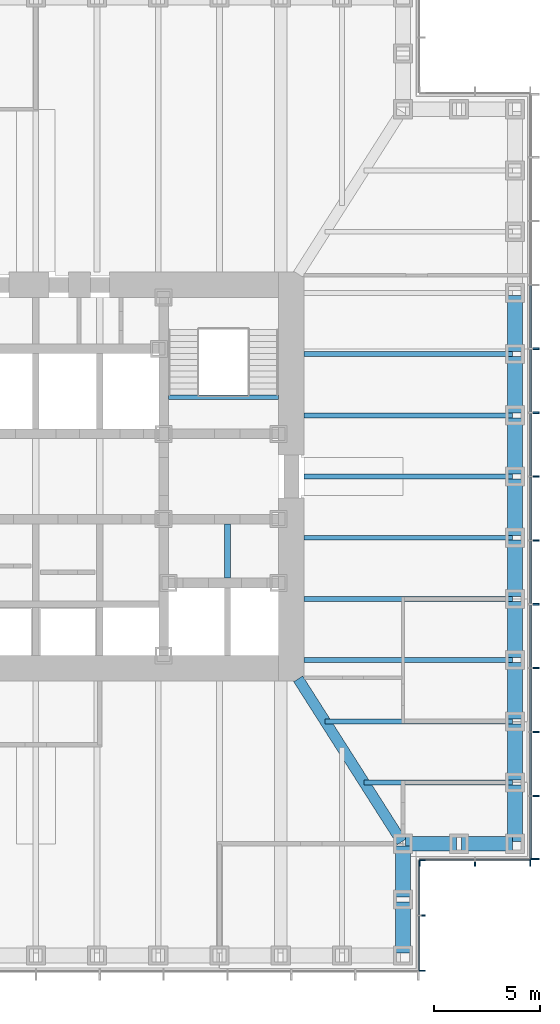
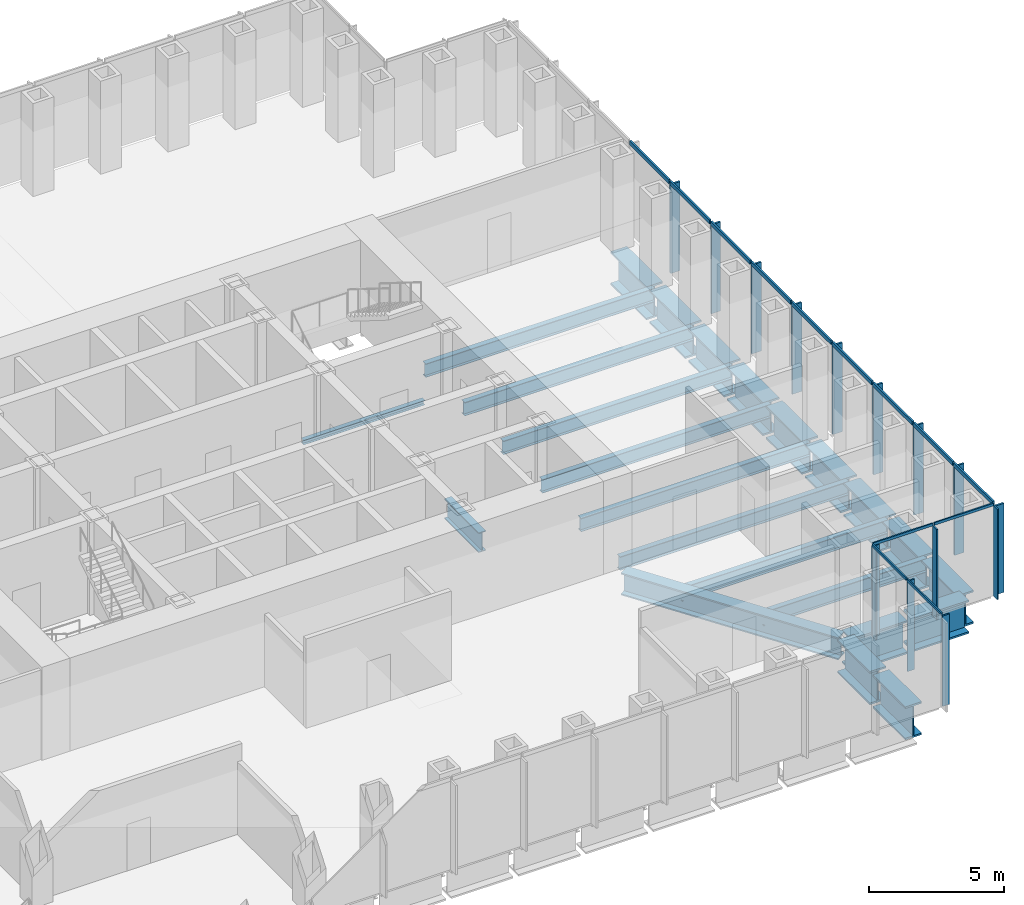
# One storey, part 4 of 16: 28 members, 24 beams, 3 elements without a shape of their own.
"""IFC4 building model written with IfcOpenShell, lengths in metres."""

from ifc_helpers import new_model, si_unit, direction, frame, origin, origin_2d, place, context, subcontext, project, spatial, rectangle, i_section, extrude, material, material_profile, profile_set, type_object, element, aggregate, save


model = new_model("IFC4")

# Units and contexts
model_context = context("Model", 3, precision=1e-05, world=origin(), true_north=direction((0.0, 1.0)))
body_context = subcontext(model_context, "Body", "Model", "MODEL_VIEW")
ifc_project = project(units=[si_unit("LENGTHUNIT", "METRE"), si_unit("AREAUNIT", "SQUARE_METRE"), si_unit("VOLUMEUNIT", "CUBIC_METRE"), si_unit("PLANEANGLEUNIT", "RADIAN"), si_unit("MASSUNIT", "GRAM", prefix="KILO")], contexts=[model_context])

# Site, building, storey
site_placement = place(None, origin())
site = spatial("IfcSite", under=ifc_project, at=site_placement, CompositionType="ELEMENT")
building_placement = place(site_placement, origin())
building = spatial("IfcBuilding", under=site, at=building_placement, Name="Daluyong Arena Tower", CompositionType="ELEMENT")
storey_placement = place(building_placement, frame((0.0, 0.0, 137.5)))
storey = spatial("IfcBuildingStorey", under=building, at=storey_placement, Name="L30", CompositionType="ELEMENT", Elevation=137.5)

# Curtain wall, members
ifc_material_1 = material(Name="Bronze anodised aluminium and glass", Category="aluminium")
curtain_wall_type_1 = type_object("IfcCurtainWallType", Name="Curtain wall CW2", PredefinedType="USERDEFINED", material=ifc_material_1)
curtain_wall_1_placement = place(storey_placement, origin())
curtain_wall_1 = element("IfcCurtainWall", 1, at=curtain_wall_1_placement, inside=storey, type_object=curtain_wall_type_1, Name="curtain wall L30 E", ObjectType="UNITISED CURTAIN WALL", PredefinedType="USERDEFINED")
ifc_material_2 = material(Name="Bronze anodised aluminium fin", Category="aluminium")
ifc_material_profile_1 = material_profile(ifc_material_2, rectangle(XDim=0.39990234375, YDim=0.080078125, at=origin_2d()))
ifc_profile_set_1 = profile_set([ifc_material_profile_1], Name="Bronze anodised aluminium fin")
member_type_1 = type_object("IfcMemberType", Name="CW2 bronze fin 400x80", PredefinedType="MULLION", material=ifc_profile_set_1)
member_1_placement = place(storey_placement, frame((79.449951171875, 62.0400390625, 0.0), z_axis=(0.0, 0.0, 1.0), x_axis=(-1.0, 0.0, 0.0)))
member_1 = element("IfcMember", 2, at=member_1_placement, type_object=member_type_1, Name="curtain wall L30 E fin 1", PredefinedType="MULLION", context=body_context, shape_type="SweptSolid", body=[
    extrude(rectangle(XDim=0.39990234375, YDim=0.080078125, at=origin_2d()), origin(), (0.0, 0.0, 1.0), 4.02001953125),
])
member_2_placement = place(storey_placement, frame((79.449951171875, 65.0, 0.0), z_axis=(0.0, 0.0, 1.0), x_axis=(-1.0, 0.0, 0.0)))
member_2 = element("IfcMember", 3, at=member_2_placement, type_object=member_type_1, Name="curtain wall L30 E fin 2", PredefinedType="MULLION", context=body_context, shape_type="SweptSolid", body=[
    extrude(rectangle(XDim=0.39990234375, YDim=0.080078125, at=origin_2d()), origin(), (0.0, 0.0, 1.0), 4.02001953125),
])
member_3_placement = place(storey_placement, frame((79.449951171875, 68.0, 0.0), z_axis=(0.0, 0.0, 1.0), x_axis=(-1.0, 0.0, 0.0)))
member_3 = element("IfcMember", 4, at=member_3_placement, type_object=member_type_1, Name="curtain wall L30 E fin 3", PredefinedType="MULLION", context=body_context, shape_type="SweptSolid", body=[
    extrude(rectangle(XDim=0.39990234375, YDim=0.080078125, at=origin_2d()), origin(), (0.0, 0.0, 1.0), 4.02001953125),
])
member_4_placement = place(storey_placement, frame((79.449951171875, 71.0, 0.0), z_axis=(0.0, 0.0, 1.0), x_axis=(-1.0, 0.0, 0.0)))
member_4 = element("IfcMember", 5, at=member_4_placement, type_object=member_type_1, Name="curtain wall L30 E fin 4", PredefinedType="MULLION", context=body_context, shape_type="SweptSolid", body=[
    extrude(rectangle(XDim=0.39990234375, YDim=0.080078125, at=origin_2d()), origin(), (0.0, 0.0, 1.0), 4.02001953125),
])
member_5_placement = place(storey_placement, frame((79.449951171875, 74.0, 0.0), z_axis=(0.0, 0.0, 1.0), x_axis=(-1.0, 0.0, 0.0)))
member_5 = element("IfcMember", 6, at=member_5_placement, type_object=member_type_1, Name="curtain wall L30 E fin 5", PredefinedType="MULLION", context=body_context, shape_type="SweptSolid", body=[
    extrude(rectangle(XDim=0.39990234375, YDim=0.080078125, at=origin_2d()), origin(), (0.0, 0.0, 1.0), 4.02001953125),
])
member_6_placement = place(storey_placement, frame((79.449951171875, 77.0, 0.0), z_axis=(0.0, 0.0, 1.0), x_axis=(-1.0, 0.0, 0.0)))
member_6 = element("IfcMember", 7, at=member_6_placement, type_object=member_type_1, Name="curtain wall L30 E fin 6", PredefinedType="MULLION", context=body_context, shape_type="SweptSolid", body=[
    extrude(rectangle(XDim=0.39990234375, YDim=0.080078125, at=origin_2d()), origin(), (0.0, 0.0, 1.0), 4.02001953125),
])
member_7_placement = place(storey_placement, frame((79.449951171875, 80.0, 0.0), z_axis=(0.0, 0.0, 1.0), x_axis=(-1.0, 0.0, 0.0)))
member_7 = element("IfcMember", 8, at=member_7_placement, type_object=member_type_1, Name="curtain wall L30 E fin 7", PredefinedType="MULLION", context=body_context, shape_type="SweptSolid", body=[
    extrude(rectangle(XDim=0.39990234375, YDim=0.080078125, at=origin_2d()), origin(), (0.0, 0.0, 1.0), 4.02001953125),
])
member_8_placement = place(storey_placement, frame((79.449951171875, 83.0, 0.0), z_axis=(0.0, 0.0, 1.0), x_axis=(-1.0, 0.0, 0.0)))
member_8 = element("IfcMember", 9, at=member_8_placement, type_object=member_type_1, Name="curtain wall L30 E fin 8", PredefinedType="MULLION", context=body_context, shape_type="SweptSolid", body=[
    extrude(rectangle(XDim=0.39990234375, YDim=0.080078125, at=origin_2d()), origin(), (0.0, 0.0, 1.0), 4.02001953125),
])
member_9_placement = place(storey_placement, frame((79.449951171875, 86.0, 0.0), z_axis=(0.0, 0.0, 1.0), x_axis=(-1.0, 0.0, 0.0)))
member_9 = element("IfcMember", 10, at=member_9_placement, type_object=member_type_1, Name="curtain wall L30 E fin 9", PredefinedType="MULLION", context=body_context, shape_type="SweptSolid", body=[
    extrude(rectangle(XDim=0.39990234375, YDim=0.080078125, at=origin_2d()), origin(), (0.0, 0.0, 1.0), 4.02001953125),
])
ifc_material_3 = material(Name="Bronze anodised aluminium", Category="aluminium")
ifc_material_profile_2 = material_profile(ifc_material_3, rectangle(XDim=0.080078125, YDim=0.179931640625, at=origin_2d()))
ifc_profile_set_2 = profile_set([ifc_material_profile_2], Name="Bronze anodised aluminium")
member_type_2 = type_object("IfcMemberType", Name="CW2 stack transom 180x80", PredefinedType="USERDEFINED", material=ifc_profile_set_2)
member_10_placement = place(storey_placement, frame((79.25, 62.080078125, 4.110107421875), z_axis=(0.0, 1.0, 0.0), x_axis=(-1.0, 0.0, 0.0)))
member_10 = element("IfcMember", 11, at=member_10_placement, type_object=member_type_2, Name="curtain wall L30 E transom 1", ObjectType="TRANSOM", PredefinedType="USERDEFINED", context=body_context, shape_type="SweptSolid", body=[
    extrude(rectangle(XDim=0.080078125, YDim=0.179931640625, at=origin_2d()), origin(), (0.0, 0.0, 1.0), 2.8798828125),
])
member_11_placement = place(storey_placement, frame((79.25, 65.0400390625, 4.110107421875), z_axis=(0.0, 1.0, 0.0), x_axis=(-1.0, 0.0, 0.0)))
member_11 = element("IfcMember", 12, at=member_11_placement, type_object=member_type_2, Name="curtain wall L30 E transom 2", ObjectType="TRANSOM", PredefinedType="USERDEFINED", context=body_context, shape_type="SweptSolid", body=[
    extrude(rectangle(XDim=0.080078125, YDim=0.179931640625, at=origin_2d()), origin(), (0.0, 0.0, 1.0), 2.919921875),
])
member_12_placement = place(storey_placement, frame((79.25, 68.0400390625, 4.110107421875), z_axis=(0.0, 1.0, 0.0), x_axis=(-1.0, 0.0, 0.0)))
member_12 = element("IfcMember", 13, at=member_12_placement, type_object=member_type_2, Name="curtain wall L30 E transom 3", ObjectType="TRANSOM", PredefinedType="USERDEFINED", context=body_context, shape_type="SweptSolid", body=[
    extrude(rectangle(XDim=0.080078125, YDim=0.179931640625, at=origin_2d()), origin(), (0.0, 0.0, 1.0), 2.919921875),
])
member_13_placement = place(storey_placement, frame((79.25, 71.0400390625, 4.110107421875), z_axis=(0.0, 1.0, 0.0), x_axis=(-1.0, 0.0, 0.0)))
member_13 = element("IfcMember", 14, at=member_13_placement, type_object=member_type_2, Name="curtain wall L30 E transom 4", ObjectType="TRANSOM", PredefinedType="USERDEFINED", context=body_context, shape_type="SweptSolid", body=[
    extrude(rectangle(XDim=0.080078125, YDim=0.179931640625, at=origin_2d()), origin(), (0.0, 0.0, 1.0), 2.919921875),
])
member_14_placement = place(storey_placement, frame((79.25, 74.0400390625, 4.110107421875), z_axis=(0.0, 1.0, 0.0), x_axis=(-1.0, 0.0, 0.0)))
member_14 = element("IfcMember", 15, at=member_14_placement, type_object=member_type_2, Name="curtain wall L30 E transom 5", ObjectType="TRANSOM", PredefinedType="USERDEFINED", context=body_context, shape_type="SweptSolid", body=[
    extrude(rectangle(XDim=0.080078125, YDim=0.179931640625, at=origin_2d()), origin(), (0.0, 0.0, 1.0), 2.919921875),
])
member_15_placement = place(storey_placement, frame((79.25, 77.0400390625, 4.110107421875), z_axis=(0.0, 1.0, 0.0), x_axis=(-1.0, 0.0, 0.0)))
member_15 = element("IfcMember", 16, at=member_15_placement, type_object=member_type_2, Name="curtain wall L30 E transom 6", ObjectType="TRANSOM", PredefinedType="USERDEFINED", context=body_context, shape_type="SweptSolid", body=[
    extrude(rectangle(XDim=0.080078125, YDim=0.179931640625, at=origin_2d()), origin(), (0.0, 0.0, 1.0), 2.919921875),
])
member_16_placement = place(storey_placement, frame((79.25, 80.0400390625, 4.110107421875), z_axis=(0.0, 1.0, 0.0), x_axis=(-1.0, 0.0, 0.0)))
member_16 = element("IfcMember", 17, at=member_16_placement, type_object=member_type_2, Name="curtain wall L30 E transom 7", ObjectType="TRANSOM", PredefinedType="USERDEFINED", context=body_context, shape_type="SweptSolid", body=[
    extrude(rectangle(XDim=0.080078125, YDim=0.179931640625, at=origin_2d()), origin(), (0.0, 0.0, 1.0), 2.919921875),
])
member_17_placement = place(storey_placement, frame((79.25, 83.0400390625, 4.110107421875), z_axis=(0.0, 1.0, 0.0), x_axis=(-1.0, 0.0, 0.0)))
member_17 = element("IfcMember", 18, at=member_17_placement, type_object=member_type_2, Name="curtain wall L30 E transom 8", ObjectType="TRANSOM", PredefinedType="USERDEFINED", context=body_context, shape_type="SweptSolid", body=[
    extrude(rectangle(XDim=0.080078125, YDim=0.179931640625, at=origin_2d()), origin(), (0.0, 0.0, 1.0), 2.919921875),
])
member_18_placement = place(storey_placement, frame((79.25, 86.0400390625, 4.110107421875), z_axis=(0.0, 1.0, 0.0), x_axis=(-1.0, 0.0, 0.0)))
member_18 = element("IfcMember", 19, at=member_18_placement, type_object=member_type_2, Name="curtain wall L30 E transom 9", ObjectType="TRANSOM", PredefinedType="USERDEFINED", context=body_context, shape_type="SweptSolid", body=[
    extrude(rectangle(XDim=0.080078125, YDim=0.179931640625, at=origin_2d()), origin(), (0.0, 0.0, 1.0), 2.919921875),
])
aggregate(curtain_wall_1, [member_1, member_2, member_3, member_4, member_5, member_6, member_7, member_8, member_9, member_10, member_11, member_12, member_13, member_14, member_15, member_16, member_17, member_18])

ifc_material_4 = material(Name="Bronze anodised aluminium and glass", Category="aluminium")
curtain_wall_type_2 = type_object("IfcCurtainWallType", Name="Curtain wall CW7", PredefinedType="USERDEFINED", material=ifc_material_4)
curtain_wall_2_placement = place(storey_placement, origin())
curtain_wall_2 = element("IfcCurtainWall", 20, at=curtain_wall_2_placement, inside=storey, type_object=curtain_wall_type_2, Name="curtain wall L30 SE-E", ObjectType="UNITISED CURTAIN WALL", PredefinedType="USERDEFINED")
ifc_material_5 = material(Name="Bronze anodised aluminium fin", Category="aluminium")
ifc_material_profile_3 = material_profile(ifc_material_5, rectangle(XDim=0.300048828125, YDim=0.06005859375, at=origin_2d()))
ifc_profile_set_3 = profile_set([ifc_material_profile_3], Name="Bronze anodised aluminium fin")
member_type_3 = type_object("IfcMemberType", Name="CW7 bronze fin 300x60", PredefinedType="MULLION", material=ifc_profile_set_3)
member_19_placement = place(storey_placement, frame((74.14990234375, 56.780029296875, 0.0), z_axis=(0.0, 0.0, 1.0), x_axis=(-1.0, 0.0, 0.0)))
member_19 = element("IfcMember", 21, at=member_19_placement, type_object=member_type_3, Name="curtain wall L30 SE-E fin 1", PredefinedType="MULLION", context=body_context, shape_type="SweptSolid", body=[
    extrude(rectangle(XDim=0.300048828125, YDim=0.06005859375, at=origin_2d()), origin(), (0.0, 0.0, 1.0), 4.080078125),
])
member_20_placement = place(storey_placement, frame((74.14990234375, 59.375, 0.0), z_axis=(0.0, 0.0, 1.0), x_axis=(-1.0, 0.0, 0.0)))
member_20 = element("IfcMember", 22, at=member_20_placement, type_object=member_type_3, Name="curtain wall L30 SE-E fin 2", PredefinedType="MULLION", context=body_context, shape_type="SweptSolid", body=[
    extrude(rectangle(XDim=0.300048828125, YDim=0.06005859375, at=origin_2d()), origin(), (0.0, 0.0, 1.0), 4.080078125),
])
member_21_placement = place(storey_placement, frame((74.14990234375, 61.969970703125, 0.0), z_axis=(0.0, 0.0, 1.0), x_axis=(-1.0, 0.0, 0.0)))
member_21 = element("IfcMember", 23, at=member_21_placement, type_object=member_type_3, Name="curtain wall L30 SE-E fin 3", PredefinedType="MULLION", context=body_context, shape_type="SweptSolid", body=[
    extrude(rectangle(XDim=0.300048828125, YDim=0.06005859375, at=origin_2d()), origin(), (0.0, 0.0, 1.0), 4.080078125),
])

curtain_wall_3_placement = place(storey_placement, origin())
curtain_wall_3 = element("IfcCurtainWall", 24, at=curtain_wall_3_placement, inside=storey, type_object=curtain_wall_type_2, Name="curtain wall L30 SE-S", ObjectType="UNITISED CURTAIN WALL", PredefinedType="USERDEFINED")
member_22_placement = place(storey_placement, frame((74.030029296875, 61.85009765625, 0.0), z_axis=(0.0, 0.0, 1.0), x_axis=(0.0, 1.0, 0.0)))
member_22 = element("IfcMember", 25, at=member_22_placement, type_object=member_type_3, Name="curtain wall L30 SE-S fin 1", PredefinedType="MULLION", context=body_context, shape_type="SweptSolid", body=[
    extrude(rectangle(XDim=0.300048828125, YDim=0.06005859375, at=origin_2d()), origin(), (0.0, 0.0, 1.0), 4.080078125),
])
member_23_placement = place(storey_placement, frame((76.625, 61.85009765625, 0.0), z_axis=(0.0, 0.0, 1.0), x_axis=(0.0, 1.0, 0.0)))
member_23 = element("IfcMember", 26, at=member_23_placement, type_object=member_type_3, Name="curtain wall L30 SE-S fin 2", PredefinedType="MULLION", context=body_context, shape_type="SweptSolid", body=[
    extrude(rectangle(XDim=0.300048828125, YDim=0.06005859375, at=origin_2d()), origin(), (0.0, 0.0, 1.0), 4.080078125),
])
member_24_placement = place(storey_placement, frame((79.219970703125, 61.85009765625, 0.0), z_axis=(0.0, 0.0, 1.0), x_axis=(0.0, 1.0, 0.0)))
member_24 = element("IfcMember", 27, at=member_24_placement, type_object=member_type_3, Name="curtain wall L30 SE-S fin 3", PredefinedType="MULLION", context=body_context, shape_type="SweptSolid", body=[
    extrude(rectangle(XDim=0.300048828125, YDim=0.06005859375, at=origin_2d()), origin(), (0.0, 0.0, 1.0), 4.080078125),
])

# Member
ifc_material_6 = material(Name="Bronze anodised aluminium", Category="aluminium")
ifc_material_profile_4 = material_profile(ifc_material_6, rectangle(XDim=0.06005859375, YDim=0.1201171875, at=origin_2d()))
ifc_profile_set_4 = profile_set([ifc_material_profile_4], Name="Bronze anodised aluminium")
member_type_4 = type_object("IfcMemberType", Name="CW7 stack transom 120x60", PredefinedType="USERDEFINED", material=ifc_profile_set_4)
member_25_placement = place(storey_placement, frame((74.0, 56.81005859375, 4.139892578125), z_axis=(0.0, 1.0, 0.0), x_axis=(-1.0, 0.0, 0.0)))
member_25 = element("IfcMember", 28, at=member_25_placement, type_object=member_type_4, Name="curtain wall L30 SE-E transom 1", ObjectType="TRANSOM", PredefinedType="USERDEFINED", context=body_context, shape_type="SweptSolid", body=[
    extrude(rectangle(XDim=0.06005859375, YDim=0.1201171875, at=origin_2d()), origin(), (0.0, 0.0, 1.0), 2.534912109375),
])

member_26_placement = place(storey_placement, frame((74.0, 59.405029296875, 4.139892578125), z_axis=(0.0, 1.0, 0.0), x_axis=(-1.0, 0.0, 0.0)))
member_26 = element("IfcMember", 29, at=member_26_placement, type_object=member_type_4, Name="curtain wall L30 SE-E transom 2", ObjectType="TRANSOM", PredefinedType="USERDEFINED", context=body_context, shape_type="SweptSolid", body=[
    extrude(rectangle(XDim=0.06005859375, YDim=0.1201171875, at=origin_2d()), origin(), (0.0, 0.0, 1.0), 2.534912109375),
])

aggregate(curtain_wall_2, [member_19, member_20, member_21, member_25, member_26])

member_27_placement = place(storey_placement, frame((74.06005859375, 62.0, 4.139892578125), z_axis=(1.0, 0.0, 0.0), x_axis=(0.0, 1.0, 0.0)))
member_27 = element("IfcMember", 30, at=member_27_placement, type_object=member_type_4, Name="curtain wall L30 SE-S transom 1", ObjectType="TRANSOM", PredefinedType="USERDEFINED", context=body_context, shape_type="SweptSolid", body=[
    extrude(rectangle(XDim=0.06005859375, YDim=0.1201171875, at=origin_2d()), origin(), (0.0, 0.0, 1.0), 2.534912109375),
])

member_28_placement = place(storey_placement, frame((76.655029296875, 62.0, 4.139892578125), z_axis=(1.0, 0.0, 0.0), x_axis=(0.0, 1.0, 0.0)))
member_28 = element("IfcMember", 31, at=member_28_placement, type_object=member_type_4, Name="curtain wall L30 SE-S transom 2", ObjectType="TRANSOM", PredefinedType="USERDEFINED", context=body_context, shape_type="SweptSolid", body=[
    extrude(rectangle(XDim=0.06005859375, YDim=0.1201171875, at=origin_2d()), origin(), (0.0, 0.0, 1.0), 2.534912109375),
])

aggregate(curtain_wall_3, [member_22, member_23, member_24, member_27, member_28])

# Beams
ifc_material_7 = material(Name="Steel ASTM A572 Grade 50", Category="steel")
ifc_material_profile_5 = material_profile(ifc_material_7, i_section(OverallWidth=0.5, OverallDepth=1.0, WebThickness=0.03, FlangeThickness=0.06, at=origin_2d()))
ifc_profile_set_5 = profile_set([ifc_material_profile_5], Name="Steel ASTM A572 Grade 50")
beam_type_1 = type_object("IfcBeamType", Name="Corner girder TB1000X500", PredefinedType="BEAM", material=ifc_profile_set_5)
beam_1_placement = place(storey_placement, frame((73.188232421875, 62.846923828125, -0.659912109375), z_axis=(-0.536872006459, 0.843663705916, 0.0), x_axis=(-0.843663705916, -0.536872006459, 0.0)))
element("IfcBeam", 32, at=beam_1_placement, inside=storey, type_object=beam_type_1, Name="corner girder DG2", PredefinedType="BEAM", context=body_context, shape_type="SweptSolid", body=[
    extrude(i_section(OverallWidth=0.5, OverallDepth=1.0, WebThickness=0.03, FlangeThickness=0.06, at=origin_2d()), origin(), (0.0, 0.0, 1.0), 9.06396484375),
])
ifc_material_8 = material(Name="Steel ASTM A992 Grade 50", Category="steel")
ifc_material_profile_6 = material_profile(ifc_material_8, i_section(OverallWidth=0.22900390625, OverallDepth=0.612060546875, WebThickness=0.011962890625, FlangeThickness=0.01953125, at=origin_2d()))
ifc_profile_set_6 = profile_set([ifc_material_profile_6], Name="Steel ASTM A992 Grade 50")
beam_type_2 = type_object("IfcBeamType", Name="Floor beam W24X84", PredefinedType="BEAM", material=ifc_profile_set_6)
beam_2_placement = place(storey_placement, frame((78.385009765625, 65.625, -0.466064453125), z_axis=(-1.0, 0.0, 0.0), x_axis=(0.0, -1.0, 0.0)))
element("IfcBeam", 33, at=beam_2_placement, inside=storey, type_object=beam_type_2, Name="floor beam FB3", PredefinedType="BEAM", context=body_context, shape_type="SweptSolid", body=[
    extrude(i_section(OverallWidth=0.22900390625, OverallDepth=0.612060546875, WebThickness=0.011962890625, FlangeThickness=0.01953125, at=origin_2d()), origin(), (0.0, 0.0, 1.0), 6.964599609375),
])
beam_3_placement = place(storey_placement, frame((78.385009765625, 68.5, -0.466064453125), z_axis=(-1.0, 0.0, 0.0), x_axis=(0.0, -1.0, 0.0)))
element("IfcBeam", 34, at=beam_3_placement, inside=storey, type_object=beam_type_2, Name="floor beam FB3", PredefinedType="BEAM", context=body_context, shape_type="SweptSolid", body=[
    extrude(i_section(OverallWidth=0.22900390625, OverallDepth=0.612060546875, WebThickness=0.011962890625, FlangeThickness=0.01953125, at=origin_2d()), origin(), (0.0, 0.0, 1.0), 8.794189453125),
])
for number, where, z_axis, x_axis, name in (
    (35, (78.385009765625, 71.375, -0.466064453125), (-1.0, 0.0, 0.0), (0.0, -1.0, 0.0), "floor beam FB3"),
    (36, (78.385009765625, 74.25, -0.466064453125), (-1.0, 0.0, 0.0), (0.0, -1.0, 0.0), "floor beam FB3"),
    (37, (78.385009765625, 77.125, -0.466064453125), (-1.0, 0.0, 0.0), (0.0, -1.0, 0.0), "floor beam FB3"),
    (38, (78.385009765625, 80.0, -0.466064453125), (-1.0, 0.0, 0.0), (0.0, -1.0, 0.0), "floor beam FB3"),
    (39, (78.385009765625, 82.875, -0.466064453125), (-1.0, 0.0, 0.0), (0.0, -1.0, 0.0), "floor beam FB3"),
    (40, (78.385009765625, 85.75, -0.466064453125), (-1.0, 0.0, 0.0), (0.0, -1.0, 0.0), "floor beam FB3"),
):
    element("IfcBeam", number, at=place(storey_placement, frame(where, z_axis=z_axis, x_axis=x_axis)), inside=storey, type_object=beam_type_2, Name=name, PredefinedType="BEAM", context=body_context, shape_type="SweptSolid", body=[
        extrude(i_section(OverallWidth=0.22900390625, OverallDepth=0.612060546875, WebThickness=0.011962890625, FlangeThickness=0.01953125, at=origin_2d()), origin(), (0.0, 0.0, 1.0), 9.784912109375),
    ])
ifc_material_9 = material(Name="Steel ASTM A572 Grade 50", Category="steel")
ifc_material_profile_7 = material_profile(ifc_material_9, i_section(OverallWidth=0.300048828125, OverallDepth=0.89990234375, WebThickness=0.025, FlangeThickness=0.04, at=origin_2d()))
ifc_profile_set_7 = profile_set([ifc_material_profile_7], Name="Steel ASTM A572 Grade 50")
beam_type_3 = type_object("IfcBeamType", Name="Lift divider beam PG900X300", PredefinedType="BEAM", material=ifc_profile_set_7)
beam_4_placement = place(storey_placement, frame((65.0, 75.22509765625, -0.610107421875), z_axis=(0.0, 1.0, 0.0), x_axis=(-1.0, 0.0, 0.0)))
element("IfcBeam", 41, at=beam_4_placement, inside=storey, type_object=beam_type_3, Name="lift divider beam DB1", PredefinedType="BEAM", context=body_context, shape_type="SweptSolid", body=[
    extrude(i_section(OverallWidth=0.300048828125, OverallDepth=0.89990234375, WebThickness=0.025, FlangeThickness=0.04, at=origin_2d()), origin(), (0.0, 0.0, 1.0), 2.5498046875),
])
ifc_material_10 = material(Name="Steel ASTM A572 Grade 50", Category="steel")
ifc_material_profile_8 = material_profile(ifc_material_10, i_section(OverallWidth=0.699951171875, OverallDepth=1.5, WebThickness=0.04, FlangeThickness=0.08, at=origin_2d()))
ifc_profile_set_8 = profile_set([ifc_material_profile_8], Name="Steel ASTM A572 Grade 50")
beam_type_4 = type_object("IfcBeamType", Name="Spandrel Z2 PG1500X700", PredefinedType="SPANDREL", material=ifc_profile_set_8)
for number, where, z_axis, x_axis, name in (
    (42, (73.25, 57.614990234375, -0.909912109375), (0.0, 1.0, 0.0), (-1.0, 0.0, 0.0), "spandrel z2 SB6"),
    (43, (73.25, 60.239990234375, -0.909912109375), (0.0, 1.0, 0.0), (-1.0, 0.0, 0.0), "spandrel z2 SB6"),
    (44, (73.364990234375, 62.75, -0.909912109375), (1.0, 0.0, 0.0), (0.0, 1.0, 0.0), "spandrel z2 SB6"),
    (45, (75.989990234375, 62.75, -0.909912109375), (1.0, 0.0, 0.0), (0.0, 1.0, 0.0), "spandrel z2 SB6"),
):
    element("IfcBeam", number, at=place(storey_placement, frame(where, z_axis=z_axis, x_axis=x_axis)), inside=storey, type_object=beam_type_4, Name=name, PredefinedType="SPANDREL", context=body_context, shape_type="SweptSolid", body=[
        extrude(i_section(OverallWidth=0.699951171875, OverallDepth=1.5, WebThickness=0.04, FlangeThickness=0.08, at=origin_2d()), origin(), (0.0, 0.0, 1.0), 2.39501953125),
    ])
for number, where, z_axis, x_axis, name in (
    (46, (78.5, 62.864990234375, -0.909912109375), (0.0, 1.0, 0.0), (-1.0, 0.0, 0.0), "spandrel z2 SB6"),
    (47, (78.5, 65.739990234375, -0.909912109375), (0.0, 1.0, 0.0), (-1.0, 0.0, 0.0), "spandrel z2 SB6"),
    (48, (78.5, 68.614990234375, -0.909912109375), (0.0, 1.0, 0.0), (-1.0, 0.0, 0.0), "spandrel z2 SB6"),
    (49, (78.5, 71.489990234375, -0.909912109375), (0.0, 1.0, 0.0), (-1.0, 0.0, 0.0), "spandrel z2 SB6"),
    (50, (78.5, 74.364990234375, -0.909912109375), (0.0, 1.0, 0.0), (-1.0, 0.0, 0.0), "spandrel z2 SB6"),
    (51, (78.5, 77.239990234375, -0.909912109375), (0.0, 1.0, 0.0), (-1.0, 0.0, 0.0), "spandrel z2 SB6"),
    (52, (78.5, 80.114990234375, -0.909912109375), (0.0, 1.0, 0.0), (-1.0, 0.0, 0.0), "spandrel z2 SB6"),
    (53, (78.5, 82.989990234375, -0.909912109375), (0.0, 1.0, 0.0), (-1.0, 0.0, 0.0), "spandrel z2 SB6"),
    (54, (78.5, 85.864990234375, -0.909912109375), (0.0, 1.0, 0.0), (-1.0, 0.0, 0.0), "spandrel z2 SB6"),
):
    element("IfcBeam", number, at=place(storey_placement, frame(where, z_axis=z_axis, x_axis=x_axis)), inside=storey, type_object=beam_type_4, Name=name, PredefinedType="SPANDREL", context=body_context, shape_type="SweptSolid", body=[
        extrude(i_section(OverallWidth=0.699951171875, OverallDepth=1.5, WebThickness=0.04, FlangeThickness=0.08, at=origin_2d()), origin(), (0.0, 0.0, 1.0), 2.64501953125),
    ])
ifc_material_11 = material(Name="Steel ASTM A992 Grade 50", Category="steel")
ifc_material_profile_9 = material_profile(ifc_material_11, i_section(OverallWidth=0.203125, OverallDepth=0.203125, WebThickness=0.00732421875, FlangeThickness=0.010986328125, at=origin_2d()))
ifc_profile_set_9 = profile_set([ifc_material_profile_9], Name="Steel ASTM A992 Grade 50")
beam_type_5 = type_object("IfcBeamType", Name="Stair landing beam W8X31", PredefinedType="BEAM", material=ifc_profile_set_9)
beam_5_placement = place(storey_placement, frame((62.22509765625, 83.723388671875, -0.26171875), z_axis=(1.0, 0.0, 0.0), x_axis=(0.0, 1.0, 0.0)))
element("IfcBeam", 55, at=beam_5_placement, inside=storey, type_object=beam_type_5, Name="exit stair B landing beam", PredefinedType="BEAM", context=body_context, shape_type="SweptSolid", body=[
    extrude(i_section(OverallWidth=0.203125, OverallDepth=0.203125, WebThickness=0.00732421875, FlangeThickness=0.010986328125, at=origin_2d()), origin(), (0.0, 0.0, 1.0), 5.1748046875),
])

save(model, "model.ifc")
